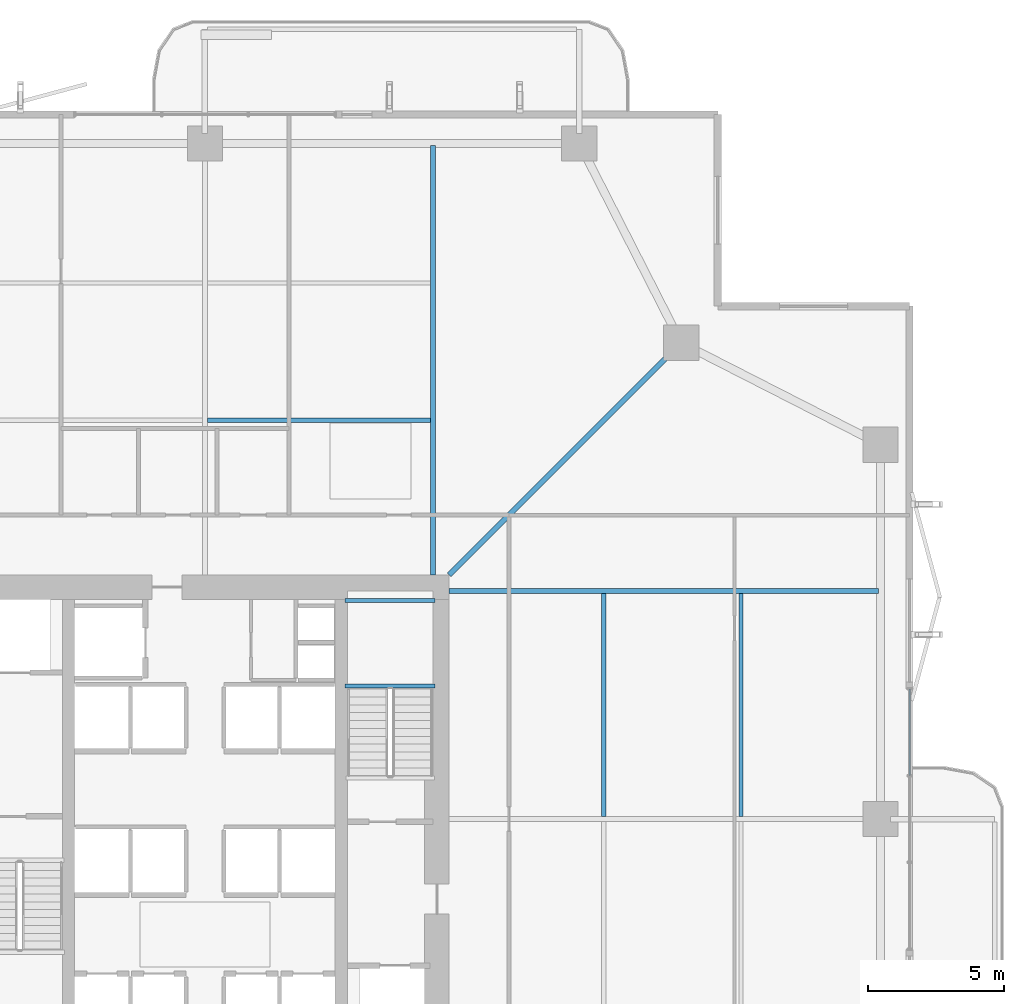
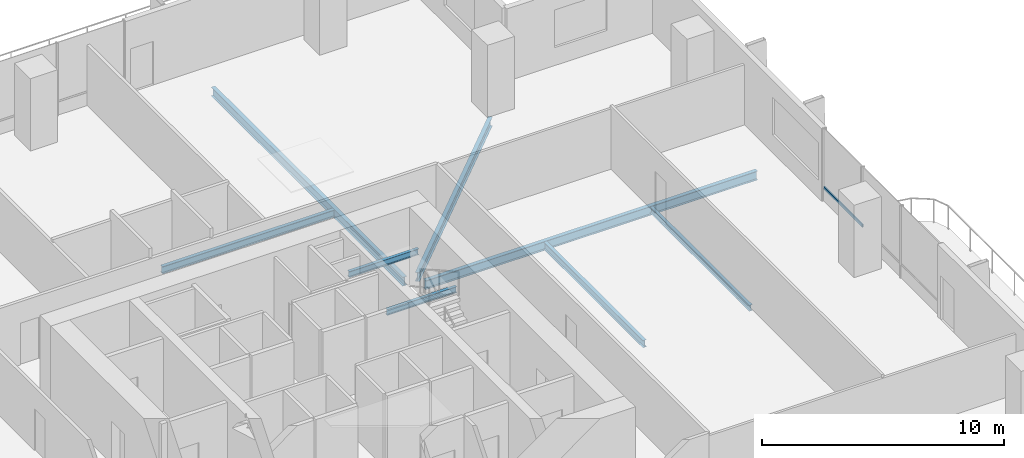
# One storey, part 12 of 23: 8 beams, 1 member, 1 element without a shape of its own.
"""IFC4 building model written with IfcOpenShell, lengths in metres."""

from ifc_helpers import new_model, si_unit, direction, frame, origin, origin_2d, place, context, subcontext, project, spatial, hollow_rectangle, i_section, extrude, material, layer, layer_set, material_profile, profile_set, type_object, element, aggregate, save


model = new_model("IFC4")

# Units and contexts
model_context = context("Model", 3, precision=1e-05, world=origin(), true_north=direction((0.0, 1.0)))
body_context = subcontext(model_context, "Body", "Model", "MODEL_VIEW")
ifc_project = project(units=[si_unit("LENGTHUNIT", "METRE"), si_unit("AREAUNIT", "SQUARE_METRE"), si_unit("VOLUMEUNIT", "CUBIC_METRE"), si_unit("PLANEANGLEUNIT", "RADIAN"), si_unit("MASSUNIT", "GRAM", prefix="KILO")], contexts=[model_context])

# Site, building, storey
site_placement = place(None, origin())
site = spatial("IfcSite", under=ifc_project, at=site_placement, CompositionType="ELEMENT")
building_placement = place(site_placement, origin())
building = spatial("IfcBuilding", under=site, at=building_placement, Name="Belovzor Exchange Tower", CompositionType="ELEMENT")
storey_placement = place(building_placement, frame((0.0, 0.0, 125.10009765625)))
storey = spatial("IfcBuildingStorey", under=building, at=storey_placement, Name="L30", CompositionType="ELEMENT", Elevation=125.10009765625)

# Beams
ifc_material_1 = material(Name="Steel S355", Category="steel")
ifc_material_profile_1 = material_profile(ifc_material_1, i_section(OverallWidth=0.169921875, OverallDepth=0.360107421875, WebThickness=0.008056640625, FlangeThickness=0.0126953125, at=origin_2d()))
ifc_profile_set_1 = profile_set([ifc_material_profile_1], Name="Steel S355")
beam_type_1 = type_object("IfcBeamType", Name="Secondary Infill Floor Joist IPE 360", PredefinedType="BEAM", material=ifc_profile_set_1)
for number, where, z_axis, x_axis, name in (
    (1, (28.89501953125, 43.4970703125, -0.43017578125), (1.0, 0.0, 0.0), (0.0, 1.0, 0.0), "FJ-360 Secondary Infill Floor Joist IPE 360"),
    (2, (43.4970703125, 28.89501953125, -0.43017578125), (0.0, 1.0, 0.0), (-1.0, 0.0, 0.0), "FJ-360 Secondary Infill Floor Joist IPE 360"),
):
    element("IfcBeam", number, at=place(storey_placement, frame(where, z_axis=z_axis, x_axis=x_axis)), inside=storey, type_object=beam_type_1, Name=name, PredefinedType="BEAM", context=body_context, shape_type="SweptSolid", body=[
        extrude(i_section(OverallWidth=0.169921875, OverallDepth=0.360107421875, WebThickness=0.008056640625, FlangeThickness=0.0126953125, at=origin_2d()), origin(), (0.0, 0.0, 1.0), 8.2099609375),
    ])
ifc_material_2 = material(Name="Steel S355", Category="steel")
ifc_material_profile_2 = material_profile(ifc_material_2, i_section(OverallWidth=0.14990234375, OverallDepth=0.300048828125, WebThickness=0.007080078125, FlangeThickness=0.0107421875, at=origin_2d()))
ifc_profile_set_2 = profile_set([ifc_material_profile_2], Name="Steel S355")
beam_type_2 = type_object("IfcBeamType", Name="Secondary Trim Floor Joist IPE 300", PredefinedType="BEAM", material=ifc_profile_set_2)
for number, where, z_axis, x_axis, name in (
    (3, (37.280029296875, 33.7099609375, 1.599853515625), (-1.0, 0.0, 0.0), (0.0, -1.0, 0.0), "FJ-300 Secondary Trim Floor Joist IPE 300"),
    (4, (37.280029296875, 36.85009765625, 1.599853515625), (-1.0, 0.0, 0.0), (0.0, -1.0, 0.0), "FJ-300 Secondary Trim Floor Joist IPE 300"),
):
    element("IfcBeam", number, at=place(storey_placement, frame(where, z_axis=z_axis, x_axis=x_axis)), inside=storey, type_object=beam_type_2, Name=name, PredefinedType="BEAM", context=body_context, shape_type="SweptSolid", body=[
        extrude(i_section(OverallWidth=0.14990234375, OverallDepth=0.300048828125, WebThickness=0.007080078125, FlangeThickness=0.0107421875, at=origin_2d()), origin(), (0.0, 0.0, 1.0), 3.31005859375),
    ])
beam_1_placement = place(storey_placement, frame((48.56103515625, 28.89501953125, -0.400146484375), z_axis=(0.0, 1.0, 0.0), x_axis=(-1.0, 0.0, 0.0)))
element("IfcBeam", 5, at=beam_1_placement, inside=storey, type_object=beam_type_2, Name="FJ-300 Secondary Trim Floor Joist IPE 300", PredefinedType="BEAM", context=body_context, shape_type="SweptSolid", body=[
    extrude(i_section(OverallWidth=0.14990234375, OverallDepth=0.300048828125, WebThickness=0.007080078125, FlangeThickness=0.0107421875, at=origin_2d()), origin(), (0.0, 0.0, 1.0), 8.2099609375),
])

# Curtain wall, member
ifc_material_3 = material(Name="Anodised Aluminium Framing", Category="aluminium")
ifc_layer = layer(ifc_material_3, 0.179931640625)
ifc_layer_set = layer_set([ifc_layer], Name="Anodised Aluminium Framing")
curtain_wall_type = type_object("IfcCurtainWallType", Name="Recessed Loggia Low-Iron Triple-Glazed Curtain Wall", PredefinedType="NOTDEFINED", material=ifc_layer_set)
curtain_wall_placement = place(storey_placement, origin())
curtain_wall = element("IfcCurtainWall", 6, at=curtain_wall_placement, inside=storey, type_object=curtain_wall_type, Name="CW3 Recessed Loggia Low-Iron Triple-Glazed Curtain Wall L30", PredefinedType="NOTDEFINED")
ifc_material_4 = material(Name="Steel S355", Category="steel")
ifc_material_profile_3 = material_profile(ifc_material_4, hollow_rectangle(XDim=0.06005859375, YDim=0.14990234375, WallThickness=0.00390625, at=origin_2d()))
ifc_profile_set_3 = profile_set([ifc_material_profile_3], Name="Steel S355")
member_type = type_object("IfcMemberType", Name="Thermally Broken Curtain Wall Transom 150x60", PredefinedType="USERDEFINED", material=ifc_profile_set_3)
member_placement = place(storey_placement, frame((54.77001953125, 33.592041015625, 0.64990234375), z_axis=(0.0, -1.0, 0.0), x_axis=(1.0, 0.0, 0.0)))
member = element("IfcMember", 7, at=member_placement, type_object=member_type, Name="CW-T150 Curtain Wall Transom 1", ObjectType="TRANSOM", PredefinedType="USERDEFINED", context=body_context, shape_type="SweptSolid", body=[
    extrude(hollow_rectangle(XDim=0.06005859375, YDim=0.14990234375, WallThickness=0.00390625, at=origin_2d()), origin(), (0.0, 0.0, 1.0), 3.18408203125),
])
aggregate(curtain_wall, [member])

# Beams
ifc_material_5 = material(Name="Steel S355", Category="steel")
ifc_material_profile_4 = material_profile(ifc_material_5, i_section(OverallWidth=0.18994140625, OverallDepth=0.449951171875, WebThickness=0.009521484375, FlangeThickness=0.0146484375, at=origin_2d()))
ifc_profile_set_4 = profile_set([ifc_material_profile_4], Name="Steel S355")
beam_type_3 = type_object("IfcBeamType", Name="Zone 2-4 Radial Composite Floor Beam IPE 450", PredefinedType="BEAM", material=ifc_profile_set_4)
for number, where, z_axis, x_axis, name in (
    (8, (37.199951171875, 37.800048828125, -0.47509765625), (0.0, 1.0, 0.0), (-1.0, 0.0, 0.0), "FB-450 Zone 2-4 Radial Composite Floor Beam IPE 450"),
    (9, (37.800048828125, 37.199951171875, -0.47509765625), (1.0, 0.0, 0.0), (0.0, 1.0, 0.0), "FB-450 Zone 2-4 Radial Composite Floor Beam IPE 450"),
):
    element("IfcBeam", number, at=place(storey_placement, frame(where, z_axis=z_axis, x_axis=x_axis)), inside=storey, type_object=beam_type_3, Name=name, PredefinedType="BEAM", context=body_context, shape_type="SweptSolid", body=[
        extrude(i_section(OverallWidth=0.18994140625, OverallDepth=0.449951171875, WebThickness=0.009521484375, FlangeThickness=0.0146484375, at=origin_2d()), origin(), (0.0, 0.0, 1.0), 15.824951171875),
    ])
beam_2_placement = place(storey_placement, frame((37.800048828125, 37.800048828125, -0.47509765625), z_axis=(0.707106781187, 0.707106781187, 0.0), x_axis=(-0.707106781187, 0.707106781187, 0.0)))
element("IfcBeam", 10, at=beam_2_placement, inside=storey, type_object=beam_type_3, Name="FB-450 Zone 2-4 Radial Composite Floor Beam IPE 450", PredefinedType="BEAM", context=body_context, shape_type="SweptSolid", body=[
    extrude(i_section(OverallWidth=0.18994140625, OverallDepth=0.449951171875, WebThickness=0.009521484375, FlangeThickness=0.0146484375, at=origin_2d()), origin(), (0.0, 0.0, 1.0), 11.631591796875),
])

save(model, "model.ifc")
